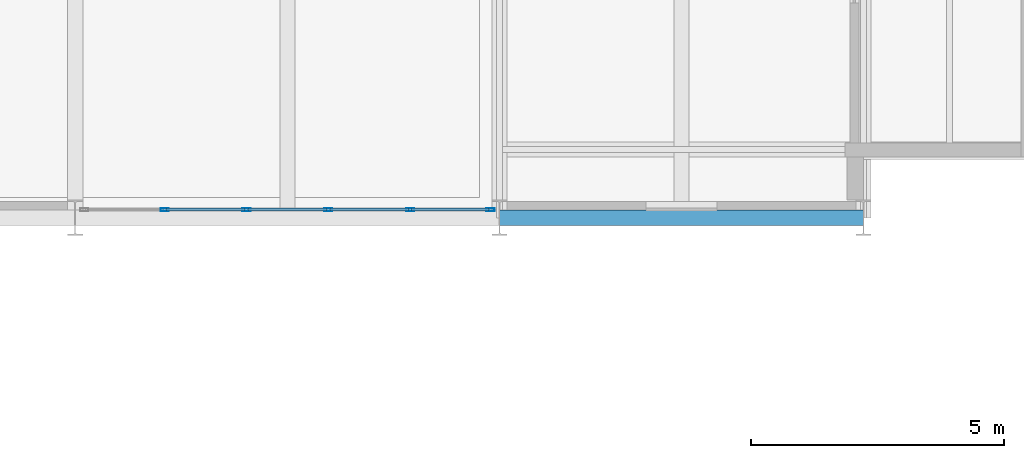
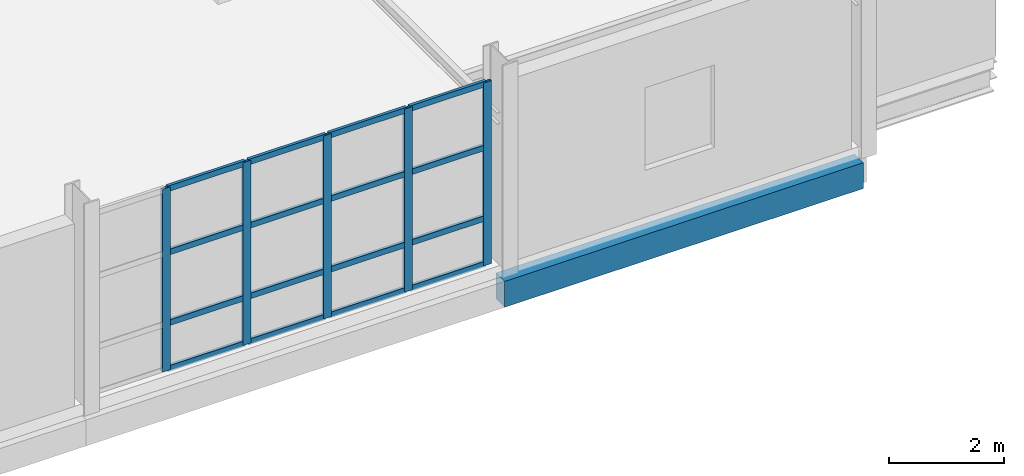
# One storey, part 66 of 113: 21 members, 1 beam, 1 element without a shape of its own.
"""IFC4 building model written with IfcOpenShell, lengths in metres."""

from ifc_helpers import new_model, si_unit, direction, frame, origin, origin_2d, place, context, subcontext, project, spatial, rectangle, hollow_rectangle, extrude, material, material_profile, profile_set, type_object, element, aggregate, save


model = new_model("IFC4")

# Units and contexts
model_context = context("Model", 3, precision=1e-05, world=origin(), true_north=direction((0.0, 1.0)))
body_context = subcontext(model_context, "Body", "Model", "MODEL_VIEW")
ifc_project = project(units=[si_unit("LENGTHUNIT", "METRE"), si_unit("AREAUNIT", "SQUARE_METRE"), si_unit("VOLUMEUNIT", "CUBIC_METRE"), si_unit("PLANEANGLEUNIT", "RADIAN"), si_unit("MASSUNIT", "GRAM", prefix="KILO")], contexts=[model_context])

# Site, building, storey
site_placement = place(None, origin())
site = spatial("IfcSite", under=ifc_project, at=site_placement, CompositionType="ELEMENT")
building_placement = place(site_placement, origin())
building = spatial("IfcBuilding", under=site, at=building_placement, Name="Veltarok Museum of Natural Sciences", CompositionType="ELEMENT")
storey_placement = place(building_placement, frame((0.0, 0.0, 8.39990234375)))
storey = spatial("IfcBuildingStorey", under=building, at=storey_placement, Name="L01", CompositionType="ELEMENT", Elevation=8.39990234375)

# Curtain wall, members
ifc_material_1 = material(Name="Low-iron triple insulated glass", Category="glass")
curtain_wall_type = type_object("IfcCurtainWallType", Name="Curtain Wall System CW-V5S-L01-18-810x388 (V5 South Lab Curtain Wall L01 18-19 810x388cm)", PredefinedType="NOTDEFINED", material=ifc_material_1)
curtain_wall_placement = place(storey_placement, origin())
curtain_wall = element("IfcCurtainWall", 1, at=curtain_wall_placement, inside=storey, type_object=curtain_wall_type, Name="Curtain Wall CW-V5S-L01-18-810x388 CW-0091", PredefinedType="NOTDEFINED")
ifc_material_2 = material(Name="Thermally broken anodised aluminium", Category="aluminium")
ifc_material_profile_1 = material_profile(ifc_material_2, hollow_rectangle(XDim=0.06005859375, YDim=0.1201171875, WallThickness=0.0048828125, at=origin_2d()), Name="CW TRANSOM 60x120x5")
ifc_profile_set_1 = profile_set([ifc_material_profile_1], Name="Thermally broken anodised aluminium")
member_type_1 = type_object("IfcMemberType", Name="Curtain Wall Horizontal Transom 60x120x5", PredefinedType="USERDEFINED", material=ifc_profile_set_1)
member_1_placement = place(storey_placement, frame((151.0, 0.159912109375, 0.030029296875), z_axis=(1.0, 0.0, 0.0), x_axis=(0.0, 1.0, 0.0)))
member_1 = element("IfcMember", 2, at=member_1_placement, type_object=member_type_1, Name="CW-V5S-L01-18-810x388 transom 2.1", ObjectType="TRANSOM", PredefinedType="USERDEFINED", context=body_context, shape_type="SweptSolid", body=[
    extrude(hollow_rectangle(XDim=0.06005859375, YDim=0.1201171875, WallThickness=0.0048828125, at=origin_2d()), origin(), (0.0, 0.0, 1.0), 1.56005859375),
])
member_2_placement = place(storey_placement, frame((151.0, 0.159912109375, 1.0), z_axis=(1.0, 0.0, 0.0), x_axis=(0.0, 1.0, 0.0)))
member_2 = element("IfcMember", 3, at=member_2_placement, type_object=member_type_1, Name="CW-V5S-L01-18-810x388 transom 2.2", ObjectType="TRANSOM", PredefinedType="USERDEFINED", context=body_context, shape_type="SweptSolid", body=[
    extrude(hollow_rectangle(XDim=0.06005859375, YDim=0.1201171875, WallThickness=0.0048828125, at=origin_2d()), origin(), (0.0, 0.0, 1.0), 1.56005859375),
])
member_3_placement = place(storey_placement, frame((151.0, 0.159912109375, 2.5), z_axis=(1.0, 0.0, 0.0), x_axis=(0.0, 1.0, 0.0)))
member_3 = element("IfcMember", 4, at=member_3_placement, type_object=member_type_1, Name="CW-V5S-L01-18-810x388 transom 2.3", ObjectType="TRANSOM", PredefinedType="USERDEFINED", context=body_context, shape_type="SweptSolid", body=[
    extrude(hollow_rectangle(XDim=0.06005859375, YDim=0.1201171875, WallThickness=0.0048828125, at=origin_2d()), origin(), (0.0, 0.0, 1.0), 1.56005859375),
])
member_4_placement = place(storey_placement, frame((151.0, 0.159912109375, 3.85009765625), z_axis=(1.0, 0.0, 0.0), x_axis=(0.0, 1.0, 0.0)))
member_4 = element("IfcMember", 5, at=member_4_placement, type_object=member_type_1, Name="CW-V5S-L01-18-810x388 transom 2.4", ObjectType="TRANSOM", PredefinedType="USERDEFINED", context=body_context, shape_type="SweptSolid", body=[
    extrude(hollow_rectangle(XDim=0.06005859375, YDim=0.1201171875, WallThickness=0.0048828125, at=origin_2d()), origin(), (0.0, 0.0, 1.0), 1.56005859375),
])
member_5_placement = place(storey_placement, frame((152.6201171875, 0.159912109375, 0.030029296875), z_axis=(1.0, 0.0, 0.0), x_axis=(0.0, 1.0, 0.0)))
member_5 = element("IfcMember", 6, at=member_5_placement, type_object=member_type_1, Name="CW-V5S-L01-18-810x388 transom 3.1", ObjectType="TRANSOM", PredefinedType="USERDEFINED", context=body_context, shape_type="SweptSolid", body=[
    extrude(hollow_rectangle(XDim=0.06005859375, YDim=0.1201171875, WallThickness=0.0048828125, at=origin_2d()), origin(), (0.0, 0.0, 1.0), 1.559814453125),
])
member_6_placement = place(storey_placement, frame((152.6201171875, 0.159912109375, 1.0), z_axis=(1.0, 0.0, 0.0), x_axis=(0.0, 1.0, 0.0)))
member_6 = element("IfcMember", 7, at=member_6_placement, type_object=member_type_1, Name="CW-V5S-L01-18-810x388 transom 3.2", ObjectType="TRANSOM", PredefinedType="USERDEFINED", context=body_context, shape_type="SweptSolid", body=[
    extrude(hollow_rectangle(XDim=0.06005859375, YDim=0.1201171875, WallThickness=0.0048828125, at=origin_2d()), origin(), (0.0, 0.0, 1.0), 1.559814453125),
])
member_7_placement = place(storey_placement, frame((152.6201171875, 0.159912109375, 2.5), z_axis=(1.0, 0.0, 0.0), x_axis=(0.0, 1.0, 0.0)))
member_7 = element("IfcMember", 8, at=member_7_placement, type_object=member_type_1, Name="CW-V5S-L01-18-810x388 transom 3.3", ObjectType="TRANSOM", PredefinedType="USERDEFINED", context=body_context, shape_type="SweptSolid", body=[
    extrude(hollow_rectangle(XDim=0.06005859375, YDim=0.1201171875, WallThickness=0.0048828125, at=origin_2d()), origin(), (0.0, 0.0, 1.0), 1.559814453125),
])
member_8_placement = place(storey_placement, frame((152.6201171875, 0.159912109375, 3.85009765625), z_axis=(1.0, 0.0, 0.0), x_axis=(0.0, 1.0, 0.0)))
member_8 = element("IfcMember", 9, at=member_8_placement, type_object=member_type_1, Name="CW-V5S-L01-18-810x388 transom 3.4", ObjectType="TRANSOM", PredefinedType="USERDEFINED", context=body_context, shape_type="SweptSolid", body=[
    extrude(hollow_rectangle(XDim=0.06005859375, YDim=0.1201171875, WallThickness=0.0048828125, at=origin_2d()), origin(), (0.0, 0.0, 1.0), 1.559814453125),
])
member_9_placement = place(storey_placement, frame((154.239990234375, 0.159912109375, 0.030029296875), z_axis=(1.0, 0.0, 0.0), x_axis=(0.0, 1.0, 0.0)))
member_9 = element("IfcMember", 10, at=member_9_placement, type_object=member_type_1, Name="CW-V5S-L01-18-810x388 transom 4.1", ObjectType="TRANSOM", PredefinedType="USERDEFINED", context=body_context, shape_type="SweptSolid", body=[
    extrude(hollow_rectangle(XDim=0.06005859375, YDim=0.1201171875, WallThickness=0.0048828125, at=origin_2d()), origin(), (0.0, 0.0, 1.0), 1.56005859375),
])
member_10_placement = place(storey_placement, frame((154.239990234375, 0.159912109375, 1.0), z_axis=(1.0, 0.0, 0.0), x_axis=(0.0, 1.0, 0.0)))
member_10 = element("IfcMember", 11, at=member_10_placement, type_object=member_type_1, Name="CW-V5S-L01-18-810x388 transom 4.2", ObjectType="TRANSOM", PredefinedType="USERDEFINED", context=body_context, shape_type="SweptSolid", body=[
    extrude(hollow_rectangle(XDim=0.06005859375, YDim=0.1201171875, WallThickness=0.0048828125, at=origin_2d()), origin(), (0.0, 0.0, 1.0), 1.56005859375),
])
member_11_placement = place(storey_placement, frame((154.239990234375, 0.159912109375, 2.5), z_axis=(1.0, 0.0, 0.0), x_axis=(0.0, 1.0, 0.0)))
member_11 = element("IfcMember", 12, at=member_11_placement, type_object=member_type_1, Name="CW-V5S-L01-18-810x388 transom 4.3", ObjectType="TRANSOM", PredefinedType="USERDEFINED", context=body_context, shape_type="SweptSolid", body=[
    extrude(hollow_rectangle(XDim=0.06005859375, YDim=0.1201171875, WallThickness=0.0048828125, at=origin_2d()), origin(), (0.0, 0.0, 1.0), 1.56005859375),
])
member_12_placement = place(storey_placement, frame((154.239990234375, 0.159912109375, 3.85009765625), z_axis=(1.0, 0.0, 0.0), x_axis=(0.0, 1.0, 0.0)))
member_12 = element("IfcMember", 13, at=member_12_placement, type_object=member_type_1, Name="CW-V5S-L01-18-810x388 transom 4.4", ObjectType="TRANSOM", PredefinedType="USERDEFINED", context=body_context, shape_type="SweptSolid", body=[
    extrude(hollow_rectangle(XDim=0.06005859375, YDim=0.1201171875, WallThickness=0.0048828125, at=origin_2d()), origin(), (0.0, 0.0, 1.0), 1.56005859375),
])
member_13_placement = place(storey_placement, frame((155.860107421875, 0.159912109375, 0.030029296875), z_axis=(1.0, 0.0, 0.0), x_axis=(0.0, 1.0, 0.0)))
member_13 = element("IfcMember", 14, at=member_13_placement, type_object=member_type_1, Name="CW-V5S-L01-18-810x388 transom 5.1", ObjectType="TRANSOM", PredefinedType="USERDEFINED", context=body_context, shape_type="SweptSolid", body=[
    extrude(hollow_rectangle(XDim=0.06005859375, YDim=0.1201171875, WallThickness=0.0048828125, at=origin_2d()), origin(), (0.0, 0.0, 1.0), 1.52978515625),
])
member_14_placement = place(storey_placement, frame((155.860107421875, 0.159912109375, 1.0), z_axis=(1.0, 0.0, 0.0), x_axis=(0.0, 1.0, 0.0)))
member_14 = element("IfcMember", 15, at=member_14_placement, type_object=member_type_1, Name="CW-V5S-L01-18-810x388 transom 5.2", ObjectType="TRANSOM", PredefinedType="USERDEFINED", context=body_context, shape_type="SweptSolid", body=[
    extrude(hollow_rectangle(XDim=0.06005859375, YDim=0.1201171875, WallThickness=0.0048828125, at=origin_2d()), origin(), (0.0, 0.0, 1.0), 1.52978515625),
])
member_15_placement = place(storey_placement, frame((155.860107421875, 0.159912109375, 2.5), z_axis=(1.0, 0.0, 0.0), x_axis=(0.0, 1.0, 0.0)))
member_15 = element("IfcMember", 16, at=member_15_placement, type_object=member_type_1, Name="CW-V5S-L01-18-810x388 transom 5.3", ObjectType="TRANSOM", PredefinedType="USERDEFINED", context=body_context, shape_type="SweptSolid", body=[
    extrude(hollow_rectangle(XDim=0.06005859375, YDim=0.1201171875, WallThickness=0.0048828125, at=origin_2d()), origin(), (0.0, 0.0, 1.0), 1.52978515625),
])
member_16_placement = place(storey_placement, frame((155.860107421875, 0.159912109375, 3.85009765625), z_axis=(1.0, 0.0, 0.0), x_axis=(0.0, 1.0, 0.0)))
member_16 = element("IfcMember", 17, at=member_16_placement, type_object=member_type_1, Name="CW-V5S-L01-18-810x388 transom 5.4", ObjectType="TRANSOM", PredefinedType="USERDEFINED", context=body_context, shape_type="SweptSolid", body=[
    extrude(hollow_rectangle(XDim=0.06005859375, YDim=0.1201171875, WallThickness=0.0048828125, at=origin_2d()), origin(), (0.0, 0.0, 1.0), 1.52978515625),
])
ifc_material_profile_2 = material_profile(ifc_material_2, hollow_rectangle(XDim=0.06005859375, YDim=0.159912109375, WallThickness=0.0048828125, at=origin_2d()), Name="CW MULLION 60x160x5")
ifc_profile_set_2 = profile_set([ifc_material_profile_2], Name="Thermally broken anodised aluminium")
member_type_2 = type_object("IfcMemberType", Name="Curtain Wall Vertical Mullion 60x160x5", PredefinedType="MULLION", material=ifc_profile_set_2)
member_17_placement = place(storey_placement, frame((150.969970703125, 0.159912109375, 0.0), z_axis=(0.0, 0.0, 1.0), x_axis=(0.0, 1.0, 0.0)))
member_17 = element("IfcMember", 18, at=member_17_placement, type_object=member_type_2, Name="CW-V5S-L01-18-810x388 mullion 2", PredefinedType="MULLION", context=body_context, shape_type="SweptSolid", body=[
    extrude(hollow_rectangle(XDim=0.06005859375, YDim=0.159912109375, WallThickness=0.0048828125, at=origin_2d()), origin(), (0.0, 0.0, 1.0), 3.880126953125),
])
member_18_placement = place(storey_placement, frame((152.590087890625, 0.159912109375, 0.0), z_axis=(0.0, 0.0, 1.0), x_axis=(0.0, 1.0, 0.0)))
member_18 = element("IfcMember", 19, at=member_18_placement, type_object=member_type_2, Name="CW-V5S-L01-18-810x388 mullion 3", PredefinedType="MULLION", context=body_context, shape_type="SweptSolid", body=[
    extrude(hollow_rectangle(XDim=0.06005859375, YDim=0.159912109375, WallThickness=0.0048828125, at=origin_2d()), origin(), (0.0, 0.0, 1.0), 3.880126953125),
])
member_19_placement = place(storey_placement, frame((154.2099609375, 0.159912109375, 0.0), z_axis=(0.0, 0.0, 1.0), x_axis=(0.0, 1.0, 0.0)))
member_19 = element("IfcMember", 20, at=member_19_placement, type_object=member_type_2, Name="CW-V5S-L01-18-810x388 mullion 4", PredefinedType="MULLION", context=body_context, shape_type="SweptSolid", body=[
    extrude(hollow_rectangle(XDim=0.06005859375, YDim=0.159912109375, WallThickness=0.0048828125, at=origin_2d()), origin(), (0.0, 0.0, 1.0), 3.880126953125),
])
member_20_placement = place(storey_placement, frame((155.830078125, 0.159912109375, 0.0), z_axis=(0.0, 0.0, 1.0), x_axis=(0.0, 1.0, 0.0)))
member_20 = element("IfcMember", 21, at=member_20_placement, type_object=member_type_2, Name="CW-V5S-L01-18-810x388 mullion 5", PredefinedType="MULLION", context=body_context, shape_type="SweptSolid", body=[
    extrude(hollow_rectangle(XDim=0.06005859375, YDim=0.159912109375, WallThickness=0.0048828125, at=origin_2d()), origin(), (0.0, 0.0, 1.0), 3.880126953125),
])
member_21_placement = place(storey_placement, frame((157.419921875, 0.159912109375, 0.0), z_axis=(0.0, 0.0, 1.0), x_axis=(0.0, 1.0, 0.0)))
member_21 = element("IfcMember", 22, at=member_21_placement, type_object=member_type_2, Name="CW-V5S-L01-18-810x388 mullion 6", PredefinedType="MULLION", context=body_context, shape_type="SweptSolid", body=[
    extrude(hollow_rectangle(XDim=0.06005859375, YDim=0.159912109375, WallThickness=0.0048828125, at=origin_2d()), origin(), (0.0, 0.0, 1.0), 3.880126953125),
])
aggregate(curtain_wall, [member_17, member_18, member_19, member_20, member_21, member_1, member_2, member_3, member_4, member_5, member_6, member_7, member_8, member_9, member_10, member_11, member_12, member_13, member_14, member_15, member_16])

# Beam
ifc_material_3 = material(Name="Precast concrete C40/50", Category="concrete")
ifc_material_profile_3 = material_profile(ifc_material_3, rectangle(XDim=0.300048828125, YDim=0.550048828125, at=origin_2d()), Name="RC 300x550")
ifc_profile_set_3 = profile_set([ifc_material_profile_3], Name="Precast concrete C40/50")
beam_type = type_object("IfcBeamType", Name="East Wing Precast Spandrel RC 300x550", PredefinedType="SPANDREL", material=ifc_profile_set_3)
beam_placement = place(storey_placement, frame((157.60009765625, 0.0, -0.52490234375), z_axis=(1.0, 0.0, 0.0), x_axis=(0.0, 1.0, 0.0)))
element("IfcBeam", 23, at=beam_placement, inside=storey, type_object=beam_type, Name="Beam BM-SP02 L01 19-20/A", PredefinedType="SPANDREL", context=body_context, shape_type="SweptSolid", body=[
    extrude(rectangle(XDim=0.300048828125, YDim=0.550048828125, at=origin_2d()), origin(), (0.0, 0.0, 1.0), 7.199951171875),
])

save(model, "model.ifc")
